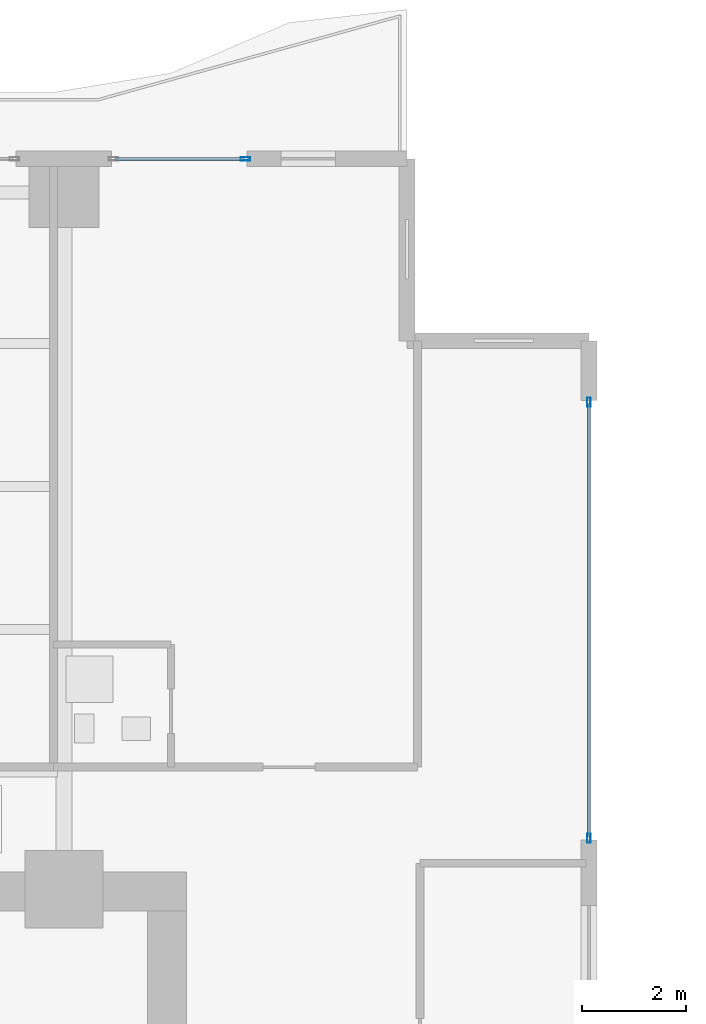
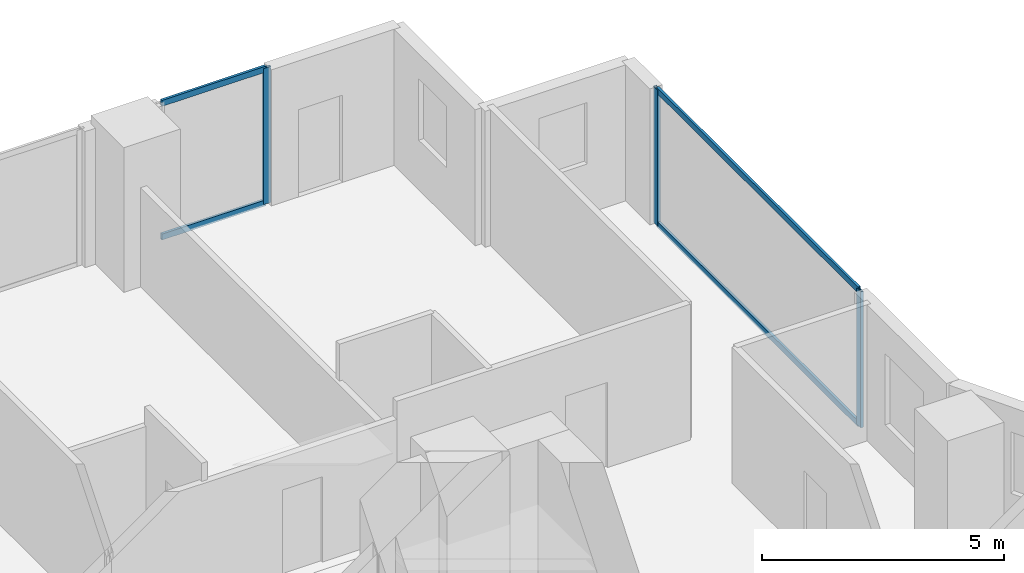
# One storey, part 19 of 30: 7 members, 2 elements without a shape of their own.
"""IFC4 building model written with IfcOpenShell, lengths in metres."""

from ifc_helpers import new_model, si_unit, direction, frame, origin, origin_2d, place, context, subcontext, project, spatial, hollow_rectangle, extrude, material, layer, layer_set, material_profile, profile_set, type_object, element, aggregate, save


model = new_model("IFC4")

# Units and contexts
model_context = context("Model", 3, precision=1e-05, world=origin(), true_north=direction((0.0, 1.0)))
body_context = subcontext(model_context, "Body", "Model", "MODEL_VIEW")
ifc_project = project(units=[si_unit("LENGTHUNIT", "METRE"), si_unit("AREAUNIT", "SQUARE_METRE"), si_unit("VOLUMEUNIT", "CUBIC_METRE"), si_unit("PLANEANGLEUNIT", "RADIAN"), si_unit("MASSUNIT", "GRAM", prefix="KILO")], contexts=[model_context])

# Site, building, storey
site_placement = place(None, origin())
site = spatial("IfcSite", under=ifc_project, at=site_placement, CompositionType="ELEMENT")
building_placement = place(site_placement, origin())
building = spatial("IfcBuilding", under=site, at=building_placement, Name="Zuhayl Quay Hotel", CompositionType="ELEMENT")
storey_placement = place(building_placement, frame((0.0, 0.0, 128.5)))
storey = spatial("IfcBuildingStorey", under=building, at=storey_placement, Name="L32", CompositionType="ELEMENT", Elevation=128.5)

# Curtain wall, member
ifc_material_1 = material(Name="Anodised Aluminium 6063-T6", Category="aluminium")
ifc_layer = layer(ifc_material_1, 0.179931640625, Name="Anodised Aluminium 6063-T6", Category="aluminium")
ifc_layer_set = layer_set([ifc_layer], Name="Anodised Aluminium 6063-T6")
curtain_wall_type = type_object("IfcCurtainWallType", Name="CW_SYS_Z2", PredefinedType="USERDEFINED", material=ifc_layer_set)
curtain_wall_1_placement = place(storey_placement, origin())
curtain_wall_1 = element("IfcCurtainWall", 1, at=curtain_wall_1_placement, inside=storey, type_object=curtain_wall_type, Name="L32 Curtain Wall ENV_L32_N_CW6", ObjectType="UNITISED CURTAIN WALL", PredefinedType="USERDEFINED")
ifc_material_2 = material(Name="Black-anodised aluminium 6063-T6", Category="aluminium")
ifc_material_profile_1 = material_profile(ifc_material_2, hollow_rectangle(XDim=0.06494140625, YDim=0.179931640625, WallThickness=0.00341796875, at=origin_2d()), Name="ALU180X65")
ifc_profile_set_1 = profile_set([ifc_material_profile_1], Name="Black-anodised aluminium 6063-T6")
member_type_1 = type_object("IfcMemberType", Name="MB_CW_MUL_180", PredefinedType="MULLION", material=ifc_profile_set_1)
member_1_placement = place(storey_placement, frame((17.29248046875, 28.39990234375, 0.0), z_axis=(0.0, 0.0, 1.0), x_axis=(0.0, 1.0, 0.0)))
member_1 = element("IfcMember", 2, at=member_1_placement, type_object=member_type_1, Name="CW-Z2 mullion 2", PredefinedType="MULLION", context=body_context, shape_type="SweptSolid", body=[
    extrude(hollow_rectangle(XDim=0.06494140625, YDim=0.179931640625, WallThickness=0.00341796875, at=origin_2d()), origin(), (0.0, 0.0, 1.0), 3.429931640625),
])

# Curtain wall, members
curtain_wall_2_placement = place(storey_placement, origin())
curtain_wall_2 = element("IfcCurtainWall", 3, at=curtain_wall_2_placement, inside=storey, type_object=curtain_wall_type, Name="L32 Curtain Wall ENV_L32_E11_CW1", ObjectType="UNITISED CURTAIN WALL", PredefinedType="USERDEFINED")
member_2_placement = place(storey_placement, frame((23.89990234375, 23.717529296875, 0.0), z_axis=(0.0, 0.0, 1.0), x_axis=(1.0, 0.0, 0.0)))
member_2 = element("IfcMember", 4, at=member_2_placement, type_object=member_type_1, Name="CW-Z2 mullion 1", PredefinedType="MULLION", context=body_context, shape_type="SweptSolid", body=[
    extrude(hollow_rectangle(XDim=0.06494140625, YDim=0.179931640625, WallThickness=0.00341796875, at=origin_2d()), origin(), (0.0, 0.0, 1.0), 3.429931640625),
])
member_3_placement = place(storey_placement, frame((23.89990234375, 15.33251953125, 0.0), z_axis=(0.0, 0.0, 1.0), x_axis=(1.0, 0.0, 0.0)))
member_3 = element("IfcMember", 5, at=member_3_placement, type_object=member_type_1, Name="CW-Z2 mullion 2", PredefinedType="MULLION", context=body_context, shape_type="SweptSolid", body=[
    extrude(hollow_rectangle(XDim=0.06494140625, YDim=0.179931640625, WallThickness=0.00341796875, at=origin_2d()), origin(), (0.0, 0.0, 1.0), 3.429931640625),
])

# Member
ifc_material_profile_2 = material_profile(ifc_material_2, hollow_rectangle(XDim=0.06005859375, YDim=0.14990234375, WallThickness=0.00341796875, at=origin_2d()), Name="ALU150X60")
ifc_profile_set_2 = profile_set([ifc_material_profile_2], Name="Black-anodised aluminium 6063-T6")
member_type_2 = type_object("IfcMemberType", Name="MB_CW_TRN_150", PredefinedType="USERDEFINED", material=ifc_profile_set_2)
member_4_placement = place(storey_placement, frame((14.784912109375, 28.39990234375, 0.030029296875), z_axis=(1.0, 0.0, 0.0), x_axis=(0.0, 1.0, 0.0)))
member_4 = element("IfcMember", 6, at=member_4_placement, type_object=member_type_2, Name="CW-Z2 transom 1.1", ObjectType="TRANSOM", PredefinedType="USERDEFINED", context=body_context, shape_type="SweptSolid", body=[
    extrude(hollow_rectangle(XDim=0.06005859375, YDim=0.14990234375, WallThickness=0.00341796875, at=origin_2d()), origin(), (0.0, 0.0, 1.0), 2.47509765625),
])

member_5_placement = place(storey_placement, frame((14.784912109375, 28.39990234375, 3.39990234375), z_axis=(1.0, 0.0, 0.0), x_axis=(0.0, 1.0, 0.0)))
member_5 = element("IfcMember", 7, at=member_5_placement, type_object=member_type_2, Name="CW-Z2 transom 1.2", ObjectType="TRANSOM", PredefinedType="USERDEFINED", context=body_context, shape_type="SweptSolid", body=[
    extrude(hollow_rectangle(XDim=0.06005859375, YDim=0.14990234375, WallThickness=0.00341796875, at=origin_2d()), origin(), (0.0, 0.0, 1.0), 2.47509765625),
])

aggregate(curtain_wall_1, [member_1, member_4, member_5])

member_6_placement = place(storey_placement, frame((23.89990234375, 23.68505859375, 0.030029296875), z_axis=(0.0, -1.0, 0.0), x_axis=(1.0, 0.0, 0.0)))
member_6 = element("IfcMember", 8, at=member_6_placement, type_object=member_type_2, Name="CW-Z2 transom 1.1", ObjectType="TRANSOM", PredefinedType="USERDEFINED", context=body_context, shape_type="SweptSolid", body=[
    extrude(hollow_rectangle(XDim=0.06005859375, YDim=0.14990234375, WallThickness=0.00341796875, at=origin_2d()), origin(), (0.0, 0.0, 1.0), 8.320068359375),
])

member_7_placement = place(storey_placement, frame((23.89990234375, 23.68505859375, 3.39990234375), z_axis=(0.0, -1.0, 0.0), x_axis=(1.0, 0.0, 0.0)))
member_7 = element("IfcMember", 9, at=member_7_placement, type_object=member_type_2, Name="CW-Z2 transom 1.2", ObjectType="TRANSOM", PredefinedType="USERDEFINED", context=body_context, shape_type="SweptSolid", body=[
    extrude(hollow_rectangle(XDim=0.06005859375, YDim=0.14990234375, WallThickness=0.00341796875, at=origin_2d()), origin(), (0.0, 0.0, 1.0), 8.320068359375),
])

aggregate(curtain_wall_2, [member_2, member_3, member_6, member_7])

save(model, "model.ifc")
